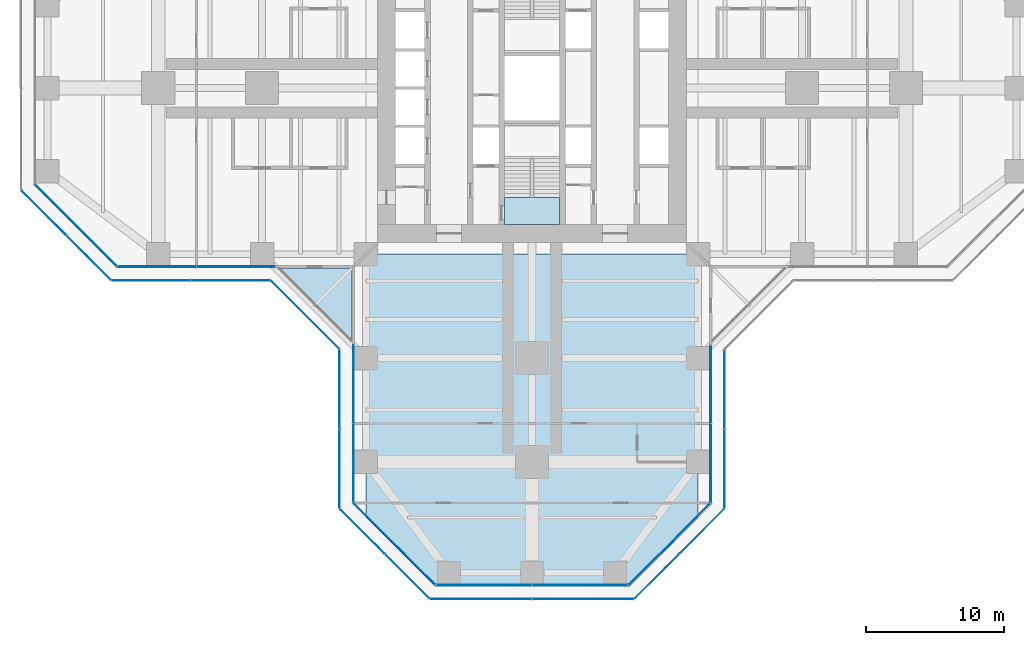
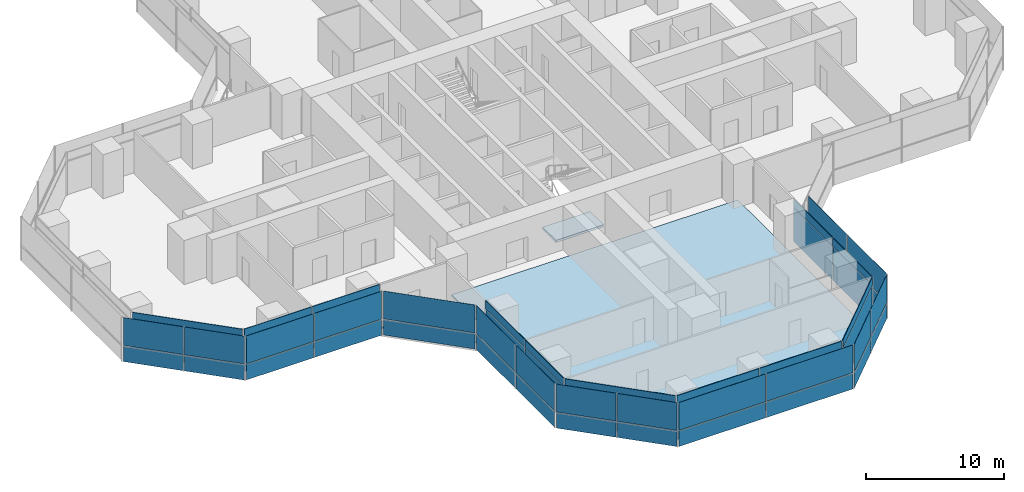
# One storey, part 14 of 22: 52 plates, 3 slabs, 16 elements without a shape of their own.
"""IFC4 building model written with IfcOpenShell, lengths in metres."""

from ifc_helpers import new_model, si_unit, direction, frame, origin, origin_2d, place, context, subcontext, project, spatial, polyline, rectangle, outline, extrude, material, layer, layer_set, type_object, element, aggregate, save


model = new_model("IFC4")

# Units and contexts
model_context = context("Model", 3, precision=1e-05, world=origin(), true_north=direction((0.0, 1.0)))
body_context = subcontext(model_context, "Body", "Model", "MODEL_VIEW")
ifc_project = project(units=[si_unit("LENGTHUNIT", "METRE"), si_unit("AREAUNIT", "SQUARE_METRE"), si_unit("VOLUMEUNIT", "CUBIC_METRE"), si_unit("PLANEANGLEUNIT", "RADIAN"), si_unit("MASSUNIT", "GRAM", prefix="KILO")], contexts=[model_context])

# Site, building, storey
site_placement = place(None, origin())
site = spatial("IfcSite", under=ifc_project, at=site_placement, CompositionType="ELEMENT")
building_placement = place(site_placement, origin())
building = spatial("IfcBuilding", under=site, at=building_placement, Name="Mizan Broadcast Tower", CompositionType="ELEMENT")
storey_placement = place(building_placement, frame((0.0, 0.0, 55.199951171875)))
storey = spatial("IfcBuildingStorey", under=building, at=storey_placement, Name="L10", CompositionType="ELEMENT", Elevation=55.199951171875)

# Slab
ifc_material_1 = material(Name="Concrete C32/40", Category="concrete")
ifc_layer_1 = layer(ifc_material_1, 0.1298828125)
ifc_layer_set_1 = layer_set([ifc_layer_1], Name="Concrete C32/40")
slab_type_1 = type_object("IfcSlabType", Name="COMPOSITE DECK SLAB 130", PredefinedType="FLOOR", material=ifc_layer_set_1)
slab_1_placement = place(storey_placement, frame((0.0, 0.0, -0.1298828125)))
element("IfcSlab", 1, at=slab_1_placement, inside=storey, type_object=slab_type_1, Name="Floor slab L10 south arm", PredefinedType="FLOOR", context=body_context, shape_type="SweptSolid", body=[
    extrude(outline(polyline([(7.0, -36.0), (12.0, -31.0), (12.0, -12.0), (-12.0, -12.0), (-12.0, -31.0), (-7.0, -36.0), (7.0, -36.0)])), origin(), (0.0, 0.0, 1.0), 0.1298828125),
])

# Curtain wall, plate
ifc_material_2 = material(Name="Aluminium framed glazing", Category="aluminium")
curtain_wall_type_1 = type_object("IfcCurtainWallType", Name="INNER SKIN LOW ZONE", PredefinedType="USERDEFINED", material=ifc_material_2)
curtain_wall_1_placement = place(storey_placement, origin())
curtain_wall_1 = element("IfcCurtainWall", 2, at=curtain_wall_1_placement, inside=storey, type_object=curtain_wall_type_1, Name="Inner skin low zone L10 W chamfer", ObjectType="INNER SKIN LOW ZONE", PredefinedType="USERDEFINED")
ifc_material_3 = material(Name="Double glazing, clear low-e", Category="glass")
ifc_layer_2 = layer(ifc_material_3, 0.028076171875)
ifc_layer_set_2 = layer_set([ifc_layer_2], Name="Double glazing, clear low-e")
plate_type_1 = type_object("IfcPlateType", Name="INNER SKIN GLAZING UNIT", PredefinedType="CURTAIN_PANEL", material=ifc_layer_set_2)
plate_1_placement = place(storey_placement, frame((-32.92919921875, -9.92919921875, 0.0), z_axis=(0.0, 0.0, 1.0), x_axis=(0.707106781187, -0.707106781187, 0.0)))
plate_1 = element("IfcPlate", 3, at=plate_1_placement, type_object=plate_type_1, Name="Inner skin low zone L10 W chamfer panel 1.1", PredefinedType="CURTAIN_PANEL", context=body_context, shape_type="SweptSolid", body=[
    extrude(rectangle(XDim=8.282470703125, YDim=0.028076171875, at=origin_2d()), origin(), (0.0, 0.0, 1.0), 3.0),
])

# Curtain wall, plates
curtain_wall_2_placement = place(storey_placement, origin())
curtain_wall_2 = element("IfcCurtainWall", 4, at=curtain_wall_2_placement, inside=storey, type_object=curtain_wall_type_1, Name="Inner skin low zone L10 W side", ObjectType="INNER SKIN LOW ZONE", PredefinedType="USERDEFINED")
plate_2_placement = place(storey_placement, frame((-27.078857421875, -12.89990234375, 0.0), z_axis=(0.0, 0.0, 1.0), x_axis=(1.0, 0.0, 0.0)))
plate_2 = element("IfcPlate", 5, at=plate_2_placement, type_object=plate_type_1, Name="Inner skin low zone L10 W side panel 1.1", PredefinedType="CURTAIN_PANEL", context=body_context, shape_type="SweptSolid", body=[
    extrude(rectangle(XDim=5.639404296875, YDim=0.028076171875, at=origin_2d()), origin(), (0.0, 0.0, 1.0), 3.0),
])
plate_3_placement = place(storey_placement, frame((-21.379638671875, -12.89990234375, 0.0), z_axis=(0.0, 0.0, 1.0), x_axis=(1.0, 0.0, 0.0)))
plate_3 = element("IfcPlate", 6, at=plate_3_placement, type_object=plate_type_1, Name="Inner skin low zone L10 W side panel 2.1", PredefinedType="CURTAIN_PANEL", context=body_context, shape_type="SweptSolid", body=[
    extrude(rectangle(XDim=5.639404296875, YDim=0.028076171875, at=origin_2d()), origin(), (0.0, 0.0, 1.0), 3.0),
])

curtain_wall_3_placement = place(storey_placement, origin())
curtain_wall_3 = element("IfcCurtainWall", 7, at=curtain_wall_3_placement, inside=storey, type_object=curtain_wall_type_1, Name="Inner skin low zone L10 S side", ObjectType="INNER SKIN LOW ZONE", PredefinedType="USERDEFINED")
plate_4_placement = place(storey_placement, frame((-12.89990234375, -21.379638671875, 0.0), z_axis=(0.0, 0.0, 1.0), x_axis=(0.0, -1.0, 0.0)))
plate_4 = element("IfcPlate", 8, at=plate_4_placement, type_object=plate_type_1, Name="Inner skin low zone L10 S side panel 1.1", PredefinedType="CURTAIN_PANEL", context=body_context, shape_type="SweptSolid", body=[
    extrude(rectangle(XDim=5.639404296875, YDim=0.028076171875, at=origin_2d()), origin(), (0.0, 0.0, 1.0), 3.0),
])
plate_5_placement = place(storey_placement, frame((-12.89990234375, -27.078857421875, 0.0), z_axis=(0.0, 0.0, 1.0), x_axis=(0.0, -1.0, 0.0)))
plate_5 = element("IfcPlate", 9, at=plate_5_placement, type_object=plate_type_1, Name="Inner skin low zone L10 S side panel 2.1", PredefinedType="CURTAIN_PANEL", context=body_context, shape_type="SweptSolid", body=[
    extrude(rectangle(XDim=5.639404296875, YDim=0.028076171875, at=origin_2d()), origin(), (0.0, 0.0, 1.0), 3.0),
])

# Curtain wall, plate
curtain_wall_4_placement = place(storey_placement, origin())
curtain_wall_4 = element("IfcCurtainWall", 10, at=curtain_wall_4_placement, inside=storey, type_object=curtain_wall_type_1, Name="Inner skin low zone L10 S chamfer", ObjectType="INNER SKIN LOW ZONE", PredefinedType="USERDEFINED")
plate_6_placement = place(storey_placement, frame((-9.92919921875, -32.92919921875, 0.0), z_axis=(0.0, 0.0, 1.0), x_axis=(0.707106781187, -0.707106781187, 0.0)))
plate_6 = element("IfcPlate", 11, at=plate_6_placement, type_object=plate_type_1, Name="Inner skin low zone L10 S chamfer panel 1.1", PredefinedType="CURTAIN_PANEL", context=body_context, shape_type="SweptSolid", body=[
    extrude(rectangle(XDim=8.282470703125, YDim=0.028076171875, at=origin_2d()), origin(), (0.0, 0.0, 1.0), 3.0),
])

# Curtain wall, plates
curtain_wall_5_placement = place(storey_placement, origin())
curtain_wall_5 = element("IfcCurtainWall", 12, at=curtain_wall_5_placement, inside=storey, type_object=curtain_wall_type_1, Name="Inner skin low zone L10 S end", ObjectType="INNER SKIN LOW ZONE", PredefinedType="USERDEFINED")
plate_7_placement = place(storey_placement, frame((-3.46435546875, -35.89990234375, 0.0), z_axis=(0.0, 0.0, 1.0), x_axis=(1.0, 0.0, 0.0)))
plate_7 = element("IfcPlate", 13, at=plate_7_placement, type_object=plate_type_1, Name="Inner skin low zone L10 S end panel 1.1", PredefinedType="CURTAIN_PANEL", context=body_context, shape_type="SweptSolid", body=[
    extrude(rectangle(XDim=6.86865234375, YDim=0.028076171875, at=origin_2d()), origin(), (0.0, 0.0, 1.0), 3.0),
])
plate_8_placement = place(storey_placement, frame((3.46435546875, -35.89990234375, 0.0), z_axis=(0.0, 0.0, 1.0), x_axis=(1.0, 0.0, 0.0)))
plate_8 = element("IfcPlate", 14, at=plate_8_placement, type_object=plate_type_1, Name="Inner skin low zone L10 S end panel 2.1", PredefinedType="CURTAIN_PANEL", context=body_context, shape_type="SweptSolid", body=[
    extrude(rectangle(XDim=6.86865234375, YDim=0.028076171875, at=origin_2d()), origin(), (0.0, 0.0, 1.0), 3.0),
])

# Curtain wall, plate
curtain_wall_6_placement = place(storey_placement, origin())
curtain_wall_6 = element("IfcCurtainWall", 15, at=curtain_wall_6_placement, inside=storey, type_object=curtain_wall_type_1, Name="Inner skin low zone L10 S chamfer", ObjectType="INNER SKIN LOW ZONE", PredefinedType="USERDEFINED")
plate_9_placement = place(storey_placement, frame((9.92919921875, -32.92919921875, 0.0), z_axis=(0.0, 0.0, 1.0), x_axis=(0.707106781187, 0.707106781187, 0.0)))
plate_9 = element("IfcPlate", 16, at=plate_9_placement, type_object=plate_type_1, Name="Inner skin low zone L10 S chamfer panel 1.1", PredefinedType="CURTAIN_PANEL", context=body_context, shape_type="SweptSolid", body=[
    extrude(rectangle(XDim=8.282470703125, YDim=0.028076171875, at=origin_2d()), origin(), (0.0, 0.0, 1.0), 3.0),
])

# Curtain wall, plates
curtain_wall_7_placement = place(storey_placement, origin())
curtain_wall_7 = element("IfcCurtainWall", 17, at=curtain_wall_7_placement, inside=storey, type_object=curtain_wall_type_1, Name="Inner skin low zone L10 S side", ObjectType="INNER SKIN LOW ZONE", PredefinedType="USERDEFINED")
plate_10_placement = place(storey_placement, frame((12.89990234375, -27.078857421875, 0.0), z_axis=(0.0, 0.0, 1.0), x_axis=(0.0, 1.0, 0.0)))
plate_10 = element("IfcPlate", 18, at=plate_10_placement, type_object=plate_type_1, Name="Inner skin low zone L10 S side panel 1.1", PredefinedType="CURTAIN_PANEL", context=body_context, shape_type="SweptSolid", body=[
    extrude(rectangle(XDim=5.639404296875, YDim=0.028076171875, at=origin_2d()), origin(), (0.0, 0.0, 1.0), 3.0),
])
plate_11_placement = place(storey_placement, frame((12.89990234375, -21.379638671875, 0.0), z_axis=(0.0, 0.0, 1.0), x_axis=(0.0, 1.0, 0.0)))
plate_11 = element("IfcPlate", 19, at=plate_11_placement, type_object=plate_type_1, Name="Inner skin low zone L10 S side panel 2.1", PredefinedType="CURTAIN_PANEL", context=body_context, shape_type="SweptSolid", body=[
    extrude(rectangle(XDim=5.639404296875, YDim=0.028076171875, at=origin_2d()), origin(), (0.0, 0.0, 1.0), 3.0),
])

# Plate
ifc_material_4 = material(Name="Insulated aluminium spandrel panel, pale anodised", Category="aluminium")
ifc_layer_3 = layer(ifc_material_4, 0.050048828125)
ifc_layer_set_3 = layer_set([ifc_layer_3], Name="Insulated aluminium spandrel panel, pale anodised")
plate_type_2 = type_object("IfcPlateType", Name="INNER SKIN SPANDREL PANEL", PredefinedType="CURTAIN_PANEL", material=ifc_layer_set_3)
plate_12_placement = place(storey_placement, frame((-32.92919921875, -9.92919921875, 3.06005859375), z_axis=(0.0, 0.0, 1.0), x_axis=(0.707106781187, -0.707106781187, 0.0)))
plate_12 = element("IfcPlate", 20, at=plate_12_placement, type_object=plate_type_2, Name="Inner skin low zone L10 W chamfer panel 1.2", PredefinedType="CURTAIN_PANEL", context=body_context, shape_type="SweptSolid", body=[
    extrude(rectangle(XDim=8.282470703125, YDim=0.050048828125, at=origin_2d()), origin(), (0.0, 0.0, 1.0), 0.7099609375),
])

aggregate(curtain_wall_1, [plate_1, plate_12])

plate_13_placement = place(storey_placement, frame((-27.078857421875, -12.89990234375, 3.06005859375), z_axis=(0.0, 0.0, 1.0), x_axis=(1.0, 0.0, 0.0)))
plate_13 = element("IfcPlate", 21, at=plate_13_placement, type_object=plate_type_2, Name="Inner skin low zone L10 W side panel 1.2", PredefinedType="CURTAIN_PANEL", context=body_context, shape_type="SweptSolid", body=[
    extrude(rectangle(XDim=5.639404296875, YDim=0.050048828125, at=origin_2d()), origin(), (0.0, 0.0, 1.0), 0.7099609375),
])

plate_14_placement = place(storey_placement, frame((-21.379638671875, -12.89990234375, 3.06005859375), z_axis=(0.0, 0.0, 1.0), x_axis=(1.0, 0.0, 0.0)))
plate_14 = element("IfcPlate", 22, at=plate_14_placement, type_object=plate_type_2, Name="Inner skin low zone L10 W side panel 2.2", PredefinedType="CURTAIN_PANEL", context=body_context, shape_type="SweptSolid", body=[
    extrude(rectangle(XDim=5.639404296875, YDim=0.050048828125, at=origin_2d()), origin(), (0.0, 0.0, 1.0), 0.7099609375),
])

aggregate(curtain_wall_2, [plate_2, plate_13, plate_3, plate_14])

plate_15_placement = place(storey_placement, frame((-12.89990234375, -21.379638671875, 3.06005859375), z_axis=(0.0, 0.0, 1.0), x_axis=(0.0, -1.0, 0.0)))
plate_15 = element("IfcPlate", 23, at=plate_15_placement, type_object=plate_type_2, Name="Inner skin low zone L10 S side panel 1.2", PredefinedType="CURTAIN_PANEL", context=body_context, shape_type="SweptSolid", body=[
    extrude(rectangle(XDim=5.639404296875, YDim=0.050048828125, at=origin_2d()), origin(), (0.0, 0.0, 1.0), 0.7099609375),
])

plate_16_placement = place(storey_placement, frame((-12.89990234375, -27.078857421875, 3.06005859375), z_axis=(0.0, 0.0, 1.0), x_axis=(0.0, -1.0, 0.0)))
plate_16 = element("IfcPlate", 24, at=plate_16_placement, type_object=plate_type_2, Name="Inner skin low zone L10 S side panel 2.2", PredefinedType="CURTAIN_PANEL", context=body_context, shape_type="SweptSolid", body=[
    extrude(rectangle(XDim=5.639404296875, YDim=0.050048828125, at=origin_2d()), origin(), (0.0, 0.0, 1.0), 0.7099609375),
])

aggregate(curtain_wall_3, [plate_4, plate_15, plate_5, plate_16])

plate_17_placement = place(storey_placement, frame((-9.92919921875, -32.92919921875, 3.06005859375), z_axis=(0.0, 0.0, 1.0), x_axis=(0.707106781187, -0.707106781187, 0.0)))
plate_17 = element("IfcPlate", 25, at=plate_17_placement, type_object=plate_type_2, Name="Inner skin low zone L10 S chamfer panel 1.2", PredefinedType="CURTAIN_PANEL", context=body_context, shape_type="SweptSolid", body=[
    extrude(rectangle(XDim=8.282470703125, YDim=0.050048828125, at=origin_2d()), origin(), (0.0, 0.0, 1.0), 0.7099609375),
])

aggregate(curtain_wall_4, [plate_6, plate_17])

plate_18_placement = place(storey_placement, frame((-3.46435546875, -35.89990234375, 3.06005859375), z_axis=(0.0, 0.0, 1.0), x_axis=(1.0, 0.0, 0.0)))
plate_18 = element("IfcPlate", 26, at=plate_18_placement, type_object=plate_type_2, Name="Inner skin low zone L10 S end panel 1.2", PredefinedType="CURTAIN_PANEL", context=body_context, shape_type="SweptSolid", body=[
    extrude(rectangle(XDim=6.86865234375, YDim=0.050048828125, at=origin_2d()), origin(), (0.0, 0.0, 1.0), 0.7099609375),
])

plate_19_placement = place(storey_placement, frame((3.46435546875, -35.89990234375, 3.06005859375), z_axis=(0.0, 0.0, 1.0), x_axis=(1.0, 0.0, 0.0)))
plate_19 = element("IfcPlate", 27, at=plate_19_placement, type_object=plate_type_2, Name="Inner skin low zone L10 S end panel 2.2", PredefinedType="CURTAIN_PANEL", context=body_context, shape_type="SweptSolid", body=[
    extrude(rectangle(XDim=6.86865234375, YDim=0.050048828125, at=origin_2d()), origin(), (0.0, 0.0, 1.0), 0.7099609375),
])

aggregate(curtain_wall_5, [plate_7, plate_18, plate_8, plate_19])

plate_20_placement = place(storey_placement, frame((9.92919921875, -32.92919921875, 3.06005859375), z_axis=(0.0, 0.0, 1.0), x_axis=(0.707106781187, 0.707106781187, 0.0)))
plate_20 = element("IfcPlate", 28, at=plate_20_placement, type_object=plate_type_2, Name="Inner skin low zone L10 S chamfer panel 1.2", PredefinedType="CURTAIN_PANEL", context=body_context, shape_type="SweptSolid", body=[
    extrude(rectangle(XDim=8.282470703125, YDim=0.050048828125, at=origin_2d()), origin(), (0.0, 0.0, 1.0), 0.7099609375),
])

aggregate(curtain_wall_6, [plate_9, plate_20])

plate_21_placement = place(storey_placement, frame((12.89990234375, -27.078857421875, 3.06005859375), z_axis=(0.0, 0.0, 1.0), x_axis=(0.0, 1.0, 0.0)))
plate_21 = element("IfcPlate", 29, at=plate_21_placement, type_object=plate_type_2, Name="Inner skin low zone L10 S side panel 1.2", PredefinedType="CURTAIN_PANEL", context=body_context, shape_type="SweptSolid", body=[
    extrude(rectangle(XDim=5.639404296875, YDim=0.050048828125, at=origin_2d()), origin(), (0.0, 0.0, 1.0), 0.7099609375),
])

plate_22_placement = place(storey_placement, frame((12.89990234375, -21.379638671875, 3.06005859375), z_axis=(0.0, 0.0, 1.0), x_axis=(0.0, 1.0, 0.0)))
plate_22 = element("IfcPlate", 30, at=plate_22_placement, type_object=plate_type_2, Name="Inner skin low zone L10 S side panel 2.2", PredefinedType="CURTAIN_PANEL", context=body_context, shape_type="SweptSolid", body=[
    extrude(rectangle(XDim=5.639404296875, YDim=0.050048828125, at=origin_2d()), origin(), (0.0, 0.0, 1.0), 0.7099609375),
])

aggregate(curtain_wall_7, [plate_10, plate_21, plate_11, plate_22])

# Curtain wall, plates
ifc_material_5 = material(Name="Aluminium framed glazing", Category="aluminium")
curtain_wall_type_2 = type_object("IfcCurtainWallType", Name="OUTER SKIN", PredefinedType="USERDEFINED", material=ifc_material_5)
curtain_wall_8_placement = place(storey_placement, origin())
curtain_wall_8 = element("IfcCurtainWall", 31, at=curtain_wall_8_placement, inside=storey, type_object=curtain_wall_type_2, Name="Outer skin L10 W chamfer", ObjectType="OUTER SKIN", PredefinedType="USERDEFINED")
ifc_material_6 = material(Name="Laminated clear glass", Category="glass")
ifc_layer_4 = layer(ifc_material_6, 0.02001953125)
ifc_layer_set_4 = layer_set([ifc_layer_4], Name="Laminated clear glass")
plate_type_3 = type_object("IfcPlateType", Name="OUTER SKIN CLEAR GLASS", PredefinedType="CURTAIN_PANEL", material=ifc_layer_set_4)
plate_23_placement = place(storey_placement, frame((-35.254150390625, -9.018798828125, 0.0), z_axis=(0.0, 0.0, 1.0), x_axis=(0.707106781187, -0.707106781187, 0.0)))
plate_23 = element("IfcPlate", 32, at=plate_23_placement, type_object=plate_type_3, Name="Outer skin L10 W chamfer panel 1.1", PredefinedType="CURTAIN_PANEL", context=body_context, shape_type="SweptSolid", body=[
    extrude(rectangle(XDim=4.495361328125, YDim=0.02001953125, at=origin_2d()), origin(), (0.0, 0.0, 1.0), 1.3701171875),
])
plate_24_placement = place(storey_placement, frame((-35.254150390625, -9.018798828125, 1.43017578125), z_axis=(0.0, 0.0, 1.0), x_axis=(0.707106781187, -0.707106781187, 0.0)))
plate_24 = element("IfcPlate", 33, at=plate_24_placement, type_object=plate_type_3, Name="Outer skin L10 W chamfer panel 1.2", PredefinedType="CURTAIN_PANEL", context=body_context, shape_type="SweptSolid", body=[
    extrude(rectangle(XDim=4.495361328125, YDim=0.02001953125, at=origin_2d()), origin(), (0.0, 0.0, 1.0), 2.469970703125),
])

curtain_wall_9_placement = place(storey_placement, origin())
curtain_wall_9 = element("IfcCurtainWall", 34, at=curtain_wall_9_placement, inside=storey, type_object=curtain_wall_type_2, Name="Outer skin L10 W side", ObjectType="OUTER SKIN", PredefinedType="USERDEFINED")
plate_25_placement = place(storey_placement, frame((-27.477783203125, -13.89990234375, 0.0), z_axis=(0.0, 0.0, 1.0), x_axis=(1.0, 0.0, 0.0)))
plate_25 = element("IfcPlate", 35, at=plate_25_placement, type_object=plate_type_3, Name="Outer skin L10 W side panel 1.1", PredefinedType="CURTAIN_PANEL", context=body_context, shape_type="SweptSolid", body=[
    extrude(rectangle(XDim=5.6298828125, YDim=0.02001953125, at=origin_2d()), origin(), (0.0, 0.0, 1.0), 1.3701171875),
])
plate_26_placement = place(storey_placement, frame((-27.477783203125, -13.89990234375, 1.43017578125), z_axis=(0.0, 0.0, 1.0), x_axis=(1.0, 0.0, 0.0)))
plate_26 = element("IfcPlate", 36, at=plate_26_placement, type_object=plate_type_3, Name="Outer skin L10 W side panel 1.2", PredefinedType="CURTAIN_PANEL", context=body_context, shape_type="SweptSolid", body=[
    extrude(rectangle(XDim=5.6298828125, YDim=0.02001953125, at=origin_2d()), origin(), (0.0, 0.0, 1.0), 2.469970703125),
])

curtain_wall_10_placement = place(storey_placement, origin())
curtain_wall_10 = element("IfcCurtainWall", 37, at=curtain_wall_10_placement, inside=storey, type_object=curtain_wall_type_2, Name="Outer skin L10 W chamfer", ObjectType="OUTER SKIN", PredefinedType="USERDEFINED")
plate_27_placement = place(storey_placement, frame((-16.386474609375, -16.386474609375, 0.0), z_axis=(0.0, 0.0, 1.0), x_axis=(0.707106781187, -0.707106781187, 0.0)))
plate_27 = element("IfcPlate", 38, at=plate_27_placement, type_object=plate_type_3, Name="Outer skin L10 W chamfer panel 1.1", PredefinedType="CURTAIN_PANEL", context=body_context, shape_type="SweptSolid", body=[
    extrude(rectangle(XDim=6.87255859375, YDim=0.02001953125, at=origin_2d()), origin(), (0.0, 0.0, 1.0), 1.3701171875),
])
plate_28_placement = place(storey_placement, frame((-16.386474609375, -16.386474609375, 1.43017578125), z_axis=(0.0, 0.0, 1.0), x_axis=(0.707106781187, -0.707106781187, 0.0)))
plate_28 = element("IfcPlate", 39, at=plate_28_placement, type_object=plate_type_3, Name="Outer skin L10 W chamfer panel 1.2", PredefinedType="CURTAIN_PANEL", context=body_context, shape_type="SweptSolid", body=[
    extrude(rectangle(XDim=6.87255859375, YDim=0.02001953125, at=origin_2d()), origin(), (0.0, 0.0, 1.0), 2.469970703125),
])
aggregate(curtain_wall_10, [plate_27, plate_28])

curtain_wall_11_placement = place(storey_placement, origin())
curtain_wall_11 = element("IfcCurtainWall", 40, at=curtain_wall_11_placement, inside=storey, type_object=curtain_wall_type_2, Name="Outer skin L10 S side", ObjectType="OUTER SKIN", PredefinedType="USERDEFINED")
plate_29_placement = place(storey_placement, frame((-13.89990234375, -21.767822265625, 0.0), z_axis=(0.0, 0.0, 1.0), x_axis=(0.0, -1.0, 0.0)))
plate_29 = element("IfcPlate", 41, at=plate_29_placement, type_object=plate_type_3, Name="Outer skin L10 S side panel 1.1", PredefinedType="CURTAIN_PANEL", context=body_context, shape_type="SweptSolid", body=[
    extrude(rectangle(XDim=5.6298828125, YDim=0.02001953125, at=origin_2d()), origin(), (0.0, 0.0, 1.0), 1.3701171875),
])
plate_30_placement = place(storey_placement, frame((-13.89990234375, -21.767822265625, 1.43017578125), z_axis=(0.0, 0.0, 1.0), x_axis=(0.0, -1.0, 0.0)))
plate_30 = element("IfcPlate", 42, at=plate_30_placement, type_object=plate_type_3, Name="Outer skin L10 S side panel 1.2", PredefinedType="CURTAIN_PANEL", context=body_context, shape_type="SweptSolid", body=[
    extrude(rectangle(XDim=5.6298828125, YDim=0.02001953125, at=origin_2d()), origin(), (0.0, 0.0, 1.0), 2.469970703125),
])

curtain_wall_12_placement = place(storey_placement, origin())
curtain_wall_12 = element("IfcCurtainWall", 43, at=curtain_wall_12_placement, inside=storey, type_object=curtain_wall_type_2, Name="Outer skin L10 S chamfer", ObjectType="OUTER SKIN", PredefinedType="USERDEFINED")
plate_31_placement = place(storey_placement, frame((-12.254150390625, -32.018798828125, 0.0), z_axis=(0.0, 0.0, 1.0), x_axis=(0.707106781187, -0.707106781187, 0.0)))
plate_31 = element("IfcPlate", 44, at=plate_31_placement, type_object=plate_type_3, Name="Outer skin L10 S chamfer panel 1.1", PredefinedType="CURTAIN_PANEL", context=body_context, shape_type="SweptSolid", body=[
    extrude(rectangle(XDim=4.495361328125, YDim=0.02001953125, at=origin_2d()), origin(), (0.0, 0.0, 1.0), 1.3701171875),
])
plate_32_placement = place(storey_placement, frame((-12.254150390625, -32.018798828125, 1.43017578125), z_axis=(0.0, 0.0, 1.0), x_axis=(0.707106781187, -0.707106781187, 0.0)))
plate_32 = element("IfcPlate", 45, at=plate_32_placement, type_object=plate_type_3, Name="Outer skin L10 S chamfer panel 1.2", PredefinedType="CURTAIN_PANEL", context=body_context, shape_type="SweptSolid", body=[
    extrude(rectangle(XDim=4.495361328125, YDim=0.02001953125, at=origin_2d()), origin(), (0.0, 0.0, 1.0), 2.469970703125),
])

curtain_wall_13_placement = place(storey_placement, origin())
curtain_wall_13 = element("IfcCurtainWall", 46, at=curtain_wall_13_placement, inside=storey, type_object=curtain_wall_type_2, Name="Outer skin L10 S end", ObjectType="OUTER SKIN", PredefinedType="USERDEFINED")
plate_33_placement = place(storey_placement, frame((-3.66650390625, -36.89990234375, 0.0), z_axis=(0.0, 0.0, 1.0), x_axis=(1.0, 0.0, 0.0)))
plate_33 = element("IfcPlate", 47, at=plate_33_placement, type_object=plate_type_3, Name="Outer skin L10 S end panel 1.1", PredefinedType="CURTAIN_PANEL", context=body_context, shape_type="SweptSolid", body=[
    extrude(rectangle(XDim=7.252685546875, YDim=0.02001953125, at=origin_2d()), origin(), (0.0, 0.0, 1.0), 1.3701171875),
])
plate_34_placement = place(storey_placement, frame((-3.66650390625, -36.89990234375, 1.43017578125), z_axis=(0.0, 0.0, 1.0), x_axis=(1.0, 0.0, 0.0)))
plate_34 = element("IfcPlate", 48, at=plate_34_placement, type_object=plate_type_3, Name="Outer skin L10 S end panel 1.2", PredefinedType="CURTAIN_PANEL", context=body_context, shape_type="SweptSolid", body=[
    extrude(rectangle(XDim=7.252685546875, YDim=0.02001953125, at=origin_2d()), origin(), (0.0, 0.0, 1.0), 2.469970703125),
])

curtain_wall_14_placement = place(storey_placement, origin())
curtain_wall_14 = element("IfcCurtainWall", 49, at=curtain_wall_14_placement, inside=storey, type_object=curtain_wall_type_2, Name="Outer skin L10 S chamfer", ObjectType="OUTER SKIN", PredefinedType="USERDEFINED")
plate_35_placement = place(storey_placement, frame((9.018798828125, -35.254150390625, 0.0), z_axis=(0.0, 0.0, 1.0), x_axis=(0.707106781187, 0.707106781187, 0.0)))
plate_35 = element("IfcPlate", 50, at=plate_35_placement, type_object=plate_type_3, Name="Outer skin L10 S chamfer panel 1.1", PredefinedType="CURTAIN_PANEL", context=body_context, shape_type="SweptSolid", body=[
    extrude(rectangle(XDim=4.495361328125, YDim=0.02001953125, at=origin_2d()), origin(), (0.0, 0.0, 1.0), 1.3701171875),
])
plate_36_placement = place(storey_placement, frame((9.018798828125, -35.254150390625, 1.43017578125), z_axis=(0.0, 0.0, 1.0), x_axis=(0.707106781187, 0.707106781187, 0.0)))
plate_36 = element("IfcPlate", 51, at=plate_36_placement, type_object=plate_type_3, Name="Outer skin L10 S chamfer panel 1.2", PredefinedType="CURTAIN_PANEL", context=body_context, shape_type="SweptSolid", body=[
    extrude(rectangle(XDim=4.495361328125, YDim=0.02001953125, at=origin_2d()), origin(), (0.0, 0.0, 1.0), 2.469970703125),
])

curtain_wall_15_placement = place(storey_placement, origin())
curtain_wall_15 = element("IfcCurtainWall", 52, at=curtain_wall_15_placement, inside=storey, type_object=curtain_wall_type_2, Name="Outer skin L10 S side", ObjectType="OUTER SKIN", PredefinedType="USERDEFINED")
plate_37_placement = place(storey_placement, frame((13.89990234375, -27.477783203125, 0.0), z_axis=(0.0, 0.0, 1.0), x_axis=(0.0, 1.0, 0.0)))
plate_37 = element("IfcPlate", 53, at=plate_37_placement, type_object=plate_type_3, Name="Outer skin L10 S side panel 1.1", PredefinedType="CURTAIN_PANEL", context=body_context, shape_type="SweptSolid", body=[
    extrude(rectangle(XDim=5.6298828125, YDim=0.02001953125, at=origin_2d()), origin(), (0.0, 0.0, 1.0), 1.3701171875),
])
plate_38_placement = place(storey_placement, frame((13.89990234375, -27.477783203125, 1.43017578125), z_axis=(0.0, 0.0, 1.0), x_axis=(0.0, 1.0, 0.0)))
plate_38 = element("IfcPlate", 54, at=plate_38_placement, type_object=plate_type_3, Name="Outer skin L10 S side panel 1.2", PredefinedType="CURTAIN_PANEL", context=body_context, shape_type="SweptSolid", body=[
    extrude(rectangle(XDim=5.6298828125, YDim=0.02001953125, at=origin_2d()), origin(), (0.0, 0.0, 1.0), 2.469970703125),
])

# Plate
ifc_material_7 = material(Name="Perforated aluminium, pale anodised", Category="aluminium")
ifc_layer_5 = layer(ifc_material_7, 0.011962890625)
ifc_layer_set_5 = layer_set([ifc_layer_5], Name="Perforated aluminium, pale anodised")
plate_type_4 = type_object("IfcPlateType", Name="OUTER SKIN PERFORATED SCREEN", PredefinedType="USERDEFINED", material=ifc_layer_set_5)
plate_39_placement = place(storey_placement, frame((-32.018798828125, -12.254150390625, 0.0), z_axis=(0.0, 0.0, 1.0), x_axis=(0.707106781187, -0.707106781187, 0.0)))
plate_39 = element("IfcPlate", 55, at=plate_39_placement, type_object=plate_type_4, Name="Outer skin L10 W chamfer panel 2.1", ObjectType="SCREEN", PredefinedType="USERDEFINED", context=body_context, shape_type="SweptSolid", body=[
    extrude(rectangle(XDim=4.495361328125, YDim=0.011962890625, at=origin_2d()), origin(), (0.0, 0.0, 1.0), 1.3701171875),
])

plate_40_placement = place(storey_placement, frame((-32.018798828125, -12.254150390625, 1.43017578125), z_axis=(0.0, 0.0, 1.0), x_axis=(0.707106781187, -0.707106781187, 0.0)))
plate_40 = element("IfcPlate", 56, at=plate_40_placement, type_object=plate_type_4, Name="Outer skin L10 W chamfer panel 2.2", ObjectType="SCREEN", PredefinedType="USERDEFINED", context=body_context, shape_type="SweptSolid", body=[
    extrude(rectangle(XDim=4.495361328125, YDim=0.011962890625, at=origin_2d()), origin(), (0.0, 0.0, 1.0), 2.469970703125),
])

aggregate(curtain_wall_8, [plate_23, plate_24, plate_39, plate_40])

plate_41_placement = place(storey_placement, frame((-21.767822265625, -13.89990234375, 0.0), z_axis=(0.0, 0.0, 1.0), x_axis=(1.0, 0.0, 0.0)))
plate_41 = element("IfcPlate", 57, at=plate_41_placement, type_object=plate_type_4, Name="Outer skin L10 W side panel 2.1", ObjectType="SCREEN", PredefinedType="USERDEFINED", context=body_context, shape_type="SweptSolid", body=[
    extrude(rectangle(XDim=5.6298828125, YDim=0.011962890625, at=origin_2d()), origin(), (0.0, 0.0, 1.0), 1.3701171875),
])

plate_42_placement = place(storey_placement, frame((-21.767822265625, -13.89990234375, 1.43017578125), z_axis=(0.0, 0.0, 1.0), x_axis=(1.0, 0.0, 0.0)))
plate_42 = element("IfcPlate", 58, at=plate_42_placement, type_object=plate_type_4, Name="Outer skin L10 W side panel 2.2", ObjectType="SCREEN", PredefinedType="USERDEFINED", context=body_context, shape_type="SweptSolid", body=[
    extrude(rectangle(XDim=5.6298828125, YDim=0.011962890625, at=origin_2d()), origin(), (0.0, 0.0, 1.0), 2.469970703125),
])

aggregate(curtain_wall_9, [plate_25, plate_26, plate_41, plate_42])

plate_43_placement = place(storey_placement, frame((-13.89990234375, -27.477783203125, 0.0), z_axis=(0.0, 0.0, 1.0), x_axis=(0.0, -1.0, 0.0)))
plate_43 = element("IfcPlate", 59, at=plate_43_placement, type_object=plate_type_4, Name="Outer skin L10 S side panel 2.1", ObjectType="SCREEN", PredefinedType="USERDEFINED", context=body_context, shape_type="SweptSolid", body=[
    extrude(rectangle(XDim=5.6298828125, YDim=0.011962890625, at=origin_2d()), origin(), (0.0, 0.0, 1.0), 1.3701171875),
])

plate_44_placement = place(storey_placement, frame((-13.89990234375, -27.477783203125, 1.43017578125), z_axis=(0.0, 0.0, 1.0), x_axis=(0.0, -1.0, 0.0)))
plate_44 = element("IfcPlate", 60, at=plate_44_placement, type_object=plate_type_4, Name="Outer skin L10 S side panel 2.2", ObjectType="SCREEN", PredefinedType="USERDEFINED", context=body_context, shape_type="SweptSolid", body=[
    extrude(rectangle(XDim=5.6298828125, YDim=0.011962890625, at=origin_2d()), origin(), (0.0, 0.0, 1.0), 2.469970703125),
])

aggregate(curtain_wall_11, [plate_29, plate_30, plate_43, plate_44])

plate_45_placement = place(storey_placement, frame((-9.018798828125, -35.254150390625, 0.0), z_axis=(0.0, 0.0, 1.0), x_axis=(0.707106781187, -0.707106781187, 0.0)))
plate_45 = element("IfcPlate", 61, at=plate_45_placement, type_object=plate_type_4, Name="Outer skin L10 S chamfer panel 2.1", ObjectType="SCREEN", PredefinedType="USERDEFINED", context=body_context, shape_type="SweptSolid", body=[
    extrude(rectangle(XDim=4.495361328125, YDim=0.011962890625, at=origin_2d()), origin(), (0.0, 0.0, 1.0), 1.3701171875),
])

plate_46_placement = place(storey_placement, frame((-9.018798828125, -35.254150390625, 1.43017578125), z_axis=(0.0, 0.0, 1.0), x_axis=(0.707106781187, -0.707106781187, 0.0)))
plate_46 = element("IfcPlate", 62, at=plate_46_placement, type_object=plate_type_4, Name="Outer skin L10 S chamfer panel 2.2", ObjectType="SCREEN", PredefinedType="USERDEFINED", context=body_context, shape_type="SweptSolid", body=[
    extrude(rectangle(XDim=4.495361328125, YDim=0.011962890625, at=origin_2d()), origin(), (0.0, 0.0, 1.0), 2.469970703125),
])

aggregate(curtain_wall_12, [plate_31, plate_32, plate_45, plate_46])

plate_47_placement = place(storey_placement, frame((3.66650390625, -36.89990234375, 0.0), z_axis=(0.0, 0.0, 1.0), x_axis=(1.0, 0.0, 0.0)))
plate_47 = element("IfcPlate", 63, at=plate_47_placement, type_object=plate_type_4, Name="Outer skin L10 S end panel 2.1", ObjectType="SCREEN", PredefinedType="USERDEFINED", context=body_context, shape_type="SweptSolid", body=[
    extrude(rectangle(XDim=7.252685546875, YDim=0.011962890625, at=origin_2d()), origin(), (0.0, 0.0, 1.0), 1.3701171875),
])

plate_48_placement = place(storey_placement, frame((3.66650390625, -36.89990234375, 1.43017578125), z_axis=(0.0, 0.0, 1.0), x_axis=(1.0, 0.0, 0.0)))
plate_48 = element("IfcPlate", 64, at=plate_48_placement, type_object=plate_type_4, Name="Outer skin L10 S end panel 2.2", ObjectType="SCREEN", PredefinedType="USERDEFINED", context=body_context, shape_type="SweptSolid", body=[
    extrude(rectangle(XDim=7.252685546875, YDim=0.011962890625, at=origin_2d()), origin(), (0.0, 0.0, 1.0), 2.469970703125),
])

aggregate(curtain_wall_13, [plate_33, plate_34, plate_47, plate_48])

plate_49_placement = place(storey_placement, frame((12.254150390625, -32.018798828125, 0.0), z_axis=(0.0, 0.0, 1.0), x_axis=(0.707106781187, 0.707106781187, 0.0)))
plate_49 = element("IfcPlate", 65, at=plate_49_placement, type_object=plate_type_4, Name="Outer skin L10 S chamfer panel 2.1", ObjectType="SCREEN", PredefinedType="USERDEFINED", context=body_context, shape_type="SweptSolid", body=[
    extrude(rectangle(XDim=4.495361328125, YDim=0.011962890625, at=origin_2d()), origin(), (0.0, 0.0, 1.0), 1.3701171875),
])

plate_50_placement = place(storey_placement, frame((12.254150390625, -32.018798828125, 1.43017578125), z_axis=(0.0, 0.0, 1.0), x_axis=(0.707106781187, 0.707106781187, 0.0)))
plate_50 = element("IfcPlate", 66, at=plate_50_placement, type_object=plate_type_4, Name="Outer skin L10 S chamfer panel 2.2", ObjectType="SCREEN", PredefinedType="USERDEFINED", context=body_context, shape_type="SweptSolid", body=[
    extrude(rectangle(XDim=4.495361328125, YDim=0.011962890625, at=origin_2d()), origin(), (0.0, 0.0, 1.0), 2.469970703125),
])

aggregate(curtain_wall_14, [plate_35, plate_36, plate_49, plate_50])

plate_51_placement = place(storey_placement, frame((13.89990234375, -21.767822265625, 0.0), z_axis=(0.0, 0.0, 1.0), x_axis=(0.0, 1.0, 0.0)))
plate_51 = element("IfcPlate", 67, at=plate_51_placement, type_object=plate_type_4, Name="Outer skin L10 S side panel 2.1", ObjectType="SCREEN", PredefinedType="USERDEFINED", context=body_context, shape_type="SweptSolid", body=[
    extrude(rectangle(XDim=5.6298828125, YDim=0.011962890625, at=origin_2d()), origin(), (0.0, 0.0, 1.0), 1.3701171875),
])

plate_52_placement = place(storey_placement, frame((13.89990234375, -21.767822265625, 1.43017578125), z_axis=(0.0, 0.0, 1.0), x_axis=(0.0, 1.0, 0.0)))
plate_52 = element("IfcPlate", 68, at=plate_52_placement, type_object=plate_type_4, Name="Outer skin L10 S side panel 2.2", ObjectType="SCREEN", PredefinedType="USERDEFINED", context=body_context, shape_type="SweptSolid", body=[
    extrude(rectangle(XDim=5.6298828125, YDim=0.011962890625, at=origin_2d()), origin(), (0.0, 0.0, 1.0), 2.469970703125),
])

aggregate(curtain_wall_15, [plate_37, plate_38, plate_51, plate_52])

# Stair, slab
ifc_material_8 = material(Name="Concrete C40/50", Category="concrete")
stair_type = type_object("IfcStairType", Name="EXIT STAIR", PredefinedType="HALF_TURN_STAIR", material=ifc_material_8)
stair_placement = place(storey_placement, origin())
stair = element("IfcStair", 69, at=stair_placement, inside=storey, type_object=stair_type, Name="Stair A L10", PredefinedType="HALF_TURN_STAIR")
ifc_material_9 = material(Name="Concrete C40/50", Category="concrete")
ifc_layer_6 = layer(ifc_material_9, 0.199951171875)
ifc_layer_set_6 = layer_set([ifc_layer_6], Name="Concrete C40/50")
slab_type_2 = type_object("IfcSlabType", Name="STAIR LANDING 200", PredefinedType="LANDING", material=ifc_layer_set_6)
slab_2_placement = place(storey_placement, frame((0.0, 0.0, -0.199951171875)))
slab_2 = element("IfcSlab", 70, at=slab_2_placement, type_object=slab_type_2, Name="A landing 1", PredefinedType="LANDING", context=body_context, shape_type="SweptSolid", body=[
    extrude(outline(polyline([(-2.0, -9.85009765625), (-2.0, -7.89990234375), (2.0, -7.89990234375), (2.0, -9.85009765625), (-2.0, -9.85009765625)])), origin(), (0.0, 0.0, 1.0), 0.199951171875),
])
aggregate(stair, [slab_2])

# Slab
ifc_material_10 = material(Name="Concrete C32/40", Category="concrete")
ifc_layer_7 = layer(ifc_material_10, 0.1298828125)
ifc_layer_set_7 = layer_set([ifc_layer_7], Name="Concrete C32/40")
slab_type_3 = type_object("IfcSlabType", Name="WINTER GARDEN SLAB 130", PredefinedType="FLOOR", material=ifc_layer_set_7)
slab_3_placement = place(storey_placement, frame((0.0, 0.0, -0.1298828125)))
element("IfcSlab", 71, at=slab_3_placement, inside=storey, type_object=slab_type_3, Name="Winter garden slab L10 W", PredefinedType="FLOOR", context=body_context, shape_type="SweptSolid", body=[
    extrude(outline(polyline([(-13.0, -13.0), (-18.5, -13.0), (-13.0, -18.5), (-13.0, -13.0)])), origin(), (0.0, 0.0, 1.0), 0.1298828125),
])

save(model, "model.ifc")
